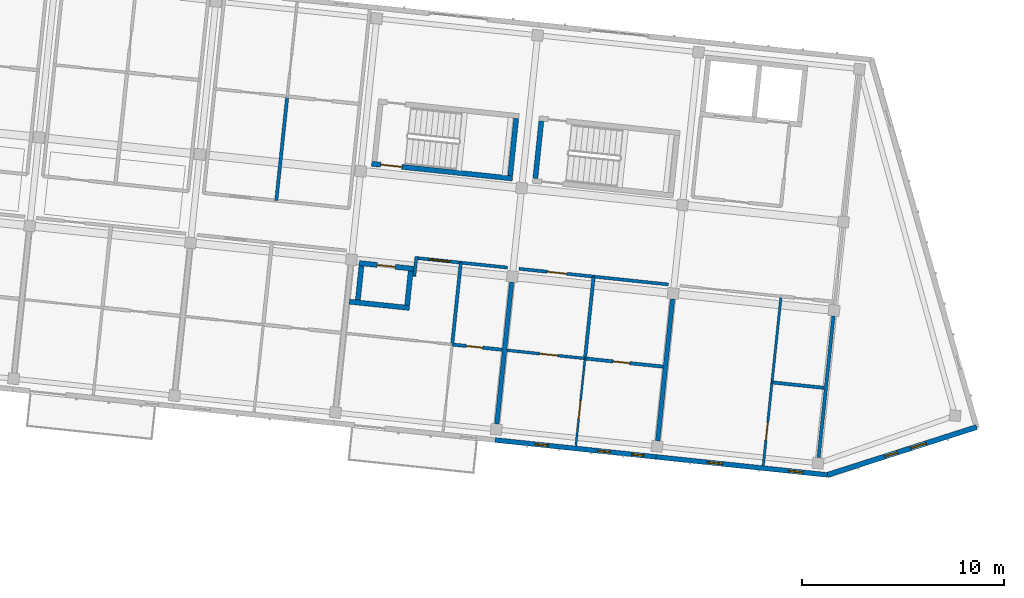
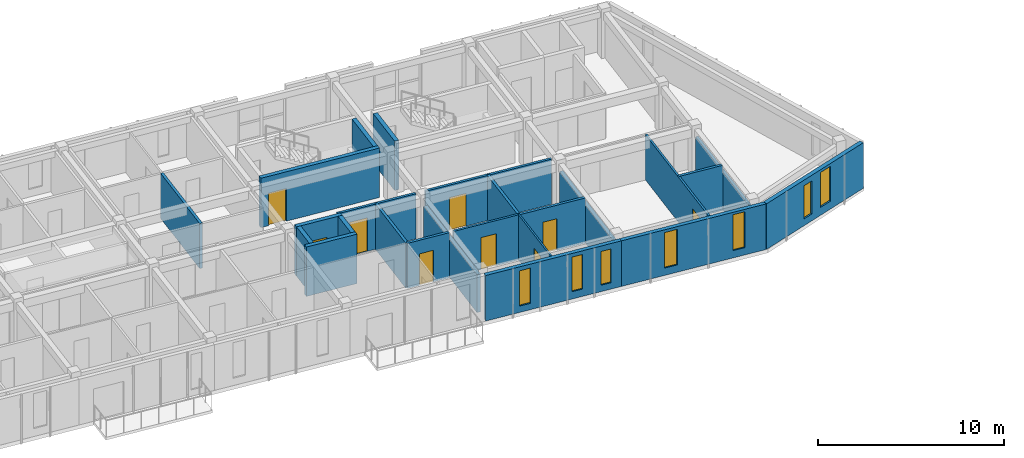
# One storey, part 38 of 68: 25 walls, 9 doors, 7 windows, 16 openings.
"""IFC4 building model written with IfcOpenShell, lengths in metres."""

import ifcopenshell
import ifcopenshell.guid

model = None  # the IFC model being written
_history = None  # IfcOwnerHistory: only IFC2X3 demands one
_inside = {}  # id of a spatial element -> (the spatial element, [elements in it])
_under = {}  # id of a project, library or spatial element -> (it, [spatial elements below it])
_declared = {}  # id of a project -> (the project, [libraries it declares])
_typed = {}  # id of a type object -> (the type object, [elements of that type])
_made_of = {}  # id of a material, layer set ... -> (it, [elements and type objects made of it])


def new_model(schema):
    """Start an empty IFC model of exactly this schema.

    Asked for "IFC4X3", IfcOpenShell would pick the latest addendum, in which some entities
    have other attributes; the version numbers below select the first issue.
    IFC2X3 requires an IfcOwnerHistory on every rooted entity: one is made here for all.
    """
    global model, _history
    if schema == "IFC4X3":
        model = ifcopenshell.file(schema_version=(4, 3, 0, 0))
    else:
        model = ifcopenshell.file(schema=schema)
    _inside.clear()
    _under.clear()
    _declared.clear()
    _typed.clear()
    _made_of.clear()
    _history = None
    if model.schema == "IFC2X3":
        org = make("IfcOrganization", Name="unknown")
        user = make(
            "IfcPersonAndOrganization",
            ThePerson=make("IfcPerson", FamilyName="unknown"),
            TheOrganization=org,
        )
        app = make(
            "IfcApplication",
            ApplicationDeveloper=org,
            Version="unknown",
            ApplicationFullName="unknown",
            ApplicationIdentifier="unknown",
        )
        _history = make(
            "IfcOwnerHistory",
            OwningUser=user,
            OwningApplication=app,
            ChangeAction="ADDED",
            CreationDate=0,
        )
    return model


def make(cls, **values):
    """One entity of the class cls with the attributes given. An attribute that is None is left unset."""
    return model.create_entity(
        cls, **{name: value for name, value in values.items() if value is not None}
    )


def rooted(cls, **values):
    """An entity with a GlobalId (a new one), such as an element, a storey or a relation."""
    return make(cls, GlobalId=ifcopenshell.guid.new(), OwnerHistory=_history, **values)


def si_unit(unit_type, name, prefix=None):
    """IfcSIUnit, for example si_unit("LENGTHUNIT", "METRE", prefix="MILLI")."""
    return make("IfcSIUnit", UnitType=unit_type, Prefix=prefix, Name=name)


def assignment(units):
    """IfcUnitAssignment: the units of a project."""
    return None if units is None else make("IfcUnitAssignment", Units=units)


def point(xyz):
    """IfcCartesianPoint."""
    return None if xyz is None else make("IfcCartesianPoint", Coordinates=xyz)


def direction(xyz):
    """IfcDirection."""
    return None if xyz is None else make("IfcDirection", DirectionRatios=xyz)


def frame(location, z_axis=None, x_axis=None):
    """IfcAxis2Placement3D, a coordinate frame: its origin and axes. An axis left out is left unset."""
    return make(
        "IfcAxis2Placement3D",
        Location=point(location),
        Axis=direction(z_axis),
        RefDirection=direction(x_axis),
    )


def frame_2d(location, x_axis=None):
    """IfcAxis2Placement2D, a coordinate frame in the plane: its origin and x axis."""
    return make(
        "IfcAxis2Placement2D", Location=point(location), RefDirection=direction(x_axis)
    )


def origin():
    """The frame at (0, 0, 0) with its axes left unset."""
    return frame((0.0, 0.0, 0.0))


def place(relative_to, where):
    """IfcLocalPlacement: puts the frame where relative to a parent placement (None: the world)."""
    return make(
        "IfcLocalPlacement", PlacementRelTo=relative_to, RelativePlacement=where
    )


def context(
    kind, dimensions, precision=None, world=None, true_north=None, identifier=None
):
    """IfcGeometricRepresentationContext, for example the 3D "Model" context."""
    return make(
        "IfcGeometricRepresentationContext",
        ContextIdentifier=identifier,
        ContextType=kind,
        CoordinateSpaceDimension=dimensions,
        Precision=precision,
        WorldCoordinateSystem=world,
        TrueNorth=true_north,
    )


def subcontext(parent, identifier, kind, view, scale=None):
    """IfcGeometricRepresentationSubContext, for example "Body" below "Model"."""
    return make(
        "IfcGeometricRepresentationSubContext",
        ContextIdentifier=identifier,
        ContextType=kind,
        ParentContext=parent,
        TargetScale=scale,
        TargetView=view,
    )


def project(units=None, contexts=None):
    """IfcProject with its units and contexts."""
    return rooted(
        "IfcProject",
        Name="project",
        RepresentationContexts=contexts,
        UnitsInContext=assignment(units),
    )


def spatial(cls, under=None, at=None, **own):
    """A site, building, storey or space (cls), placed at a placement, below another one or the project."""
    s = rooted(cls, ObjectPlacement=at, **own)
    if under is not None:
        _under.setdefault(under.id(), (under, []))[1].append(s)
    return s


def profile(cls, at=None, kind="AREA", **sizes):
    """A parametric profile (cls). Its sizes go by their IFC names, for example OverallWidth=200.0."""
    return make(cls, ProfileType=kind, Position=at, **sizes)


def rectangle(**sizes):
    """IfcRectangleProfileDef."""
    return profile("IfcRectangleProfileDef", **sizes)


def extrude(swept, where, along, depth):
    """IfcExtrudedAreaSolid: the profile swept, set in the frame where, extruded along a direction by depth."""
    return make(
        "IfcExtrudedAreaSolid",
        SweptArea=swept,
        Position=where,
        ExtrudedDirection=direction(along),
        Depth=depth,
    )


def shape(context_of_items, identifier, shape_type, items):
    """IfcShapeRepresentation: the items that make up one representation, for example the "Body"."""
    return make(
        "IfcShapeRepresentation",
        ContextOfItems=context_of_items,
        RepresentationIdentifier=identifier,
        RepresentationType=shape_type,
        Items=items,
    )


def material(Name=None, Category=None):
    """IfcMaterial."""
    return make("IfcMaterial", Name=Name, Category=Category)


def layer(
    of_material, thickness, ventilated=None, Name=None, Category=None, Priority=None
):
    """IfcMaterialLayer: one layer of a wall or slab, of a material (None: an air gap)."""
    return make(
        "IfcMaterialLayer",
        Material=of_material,
        LayerThickness=thickness,
        IsVentilated=ventilated,
        Name=Name,
        Category=Category,
        Priority=Priority,
    )


def layer_set(layers, Name=None):
    """IfcMaterialLayerSet."""
    return make("IfcMaterialLayerSet", MaterialLayers=layers, LayerSetName=Name)


def made_of(thing, what):
    """Note that an element or type object is made of a material, layer set ...; save() writes the relation."""
    if what is not None:
        _made_of.setdefault(what.id(), (what, []))[1].append(thing)
    return thing


def type_object(cls, material=None, **own):
    """A type object (cls), such as IfcWallType, which elements share."""
    return made_of(rooted(cls, **own), material)


def element(
    cls,
    number,
    at=None,
    inside=None,
    cuts=None,
    type_object=None,
    material=None,
    context=None,
    identifier="Body",
    shape_type=None,
    held_by="IfcProductDefinitionShape",
    body=None,
    shapes=None,
    **own,
):
    """One element of the class cls, such as IfcWall. Its Tag is "e" and its number.

    at: its placement. inside: the storey or other place that contains it. cuts: it is an
    opening in that element (IfcRelVoidsElement). A single representation is given by context,
    identifier, shape_type and body (its items); several are given by shapes. held_by: the class
    of the entity that holds the representations. save() writes the other relations.
    """
    e = rooted(cls, Tag="e%d" % number, ObjectPlacement=at, **own)
    if body is not None:
        shapes = [shape(context, identifier, shape_type, body)]
    if shapes is not None:
        e.Representation = make(held_by, Representations=shapes)
    if inside is not None:
        _inside.setdefault(inside.id(), (inside, []))[1].append(e)
    if cuts is not None:
        rooted(
            "IfcRelVoidsElement", RelatingBuildingElement=cuts, RelatedOpeningElement=e
        )
    if type_object is not None:
        _typed.setdefault(type_object.id(), (type_object, []))[1].append(e)
    return made_of(e, material)


def fill(opening, filler):
    """IfcRelFillsElement: the door or window that sits in an opening."""
    return rooted(
        "IfcRelFillsElement",
        RelatingOpeningElement=opening,
        RelatedBuildingElement=filler,
    )


def aggregate(whole, parts):
    """IfcRelAggregates: a whole, such as a stair, and the parts it consists of."""
    return rooted("IfcRelAggregates", RelatingObject=whole, RelatedObjects=parts)


def save(model, path):
    """Write the relations noted so far, then the file.

    IfcRelAggregates (storeys below a building ...), IfcRelContainedInSpatialStructure (elements
    in a storey), IfcRelDefinesByType, IfcRelAssociatesMaterial and IfcRelDeclares: one each for
    every whole, place, type object, material and project.
    """
    for whole, parts in _under.values():
        aggregate(whole, parts)
    for where, things in _inside.values():
        rooted(
            "IfcRelContainedInSpatialStructure",
            RelatedElements=things,
            RelatingStructure=where,
        )
    for kind, things in _typed.values():
        rooted("IfcRelDefinesByType", RelatedObjects=things, RelatingType=kind)
    for what, things in _made_of.values():
        rooted("IfcRelAssociatesMaterial", RelatedObjects=things, RelatingMaterial=what)
    for by, libraries in _declared.values():
        rooted("IfcRelDeclares", RelatingContext=by, RelatedDefinitions=libraries)
    model.write(path)


model = new_model("IFC4")

# Units and contexts
model_context = context("Model", 3, precision=1e-05, world=origin(), true_north=direction((0.0, 1.0)))
body_context = subcontext(model_context, "Body", "Model", "MODEL_VIEW")
ifc_project = project(units=[si_unit("LENGTHUNIT", "METRE"), si_unit("AREAUNIT", "SQUARE_METRE"), si_unit("VOLUMEUNIT", "CUBIC_METRE"), si_unit("PLANEANGLEUNIT", "RADIAN"), si_unit("MASSUNIT", "GRAM", prefix="KILO")], contexts=[model_context])

# Site, building, storey
site_placement = place(None, origin())
site = spatial("IfcSite", under=ifc_project, at=site_placement, CompositionType="ELEMENT")
building_placement = place(site_placement, origin())
building = spatial("IfcBuilding", under=site, at=building_placement, Name="Kestramere Prow Commons", CompositionType="ELEMENT")
storey_placement = place(building_placement, frame((0.0, 0.0, 18.14990234375)))
storey = spatial("IfcBuildingStorey", under=building, at=storey_placement, Name="L05", CompositionType="ELEMENT", Elevation=18.14990234375)

# Wall, openings, windows
ifc_material_1 = material(Name="Weathered Zinc-Titanium Standing-Seam Cladding")
ifc_layer_1 = layer(ifc_material_1, 0.260009765625)
ifc_layer_set_1 = layer_set([ifc_layer_1], Name="Weathered Zinc-Titanium Standing-Seam Cladding")
wall_type_1 = type_object("IfcWallType", Name="EW-PROW-260", PredefinedType="SOLIDWALL", material=ifc_layer_set_1)
wall_1_placement = place(storey_placement, frame((165.587158203125, 91.57177734375, 0.0), z_axis=(0.0, 0.0, 1.0), x_axis=(-0.9522851043, -0.305209895201, 0.0)))
wall_1 = element("IfcWall", 1, at=wall_1_placement, inside=storey, type_object=wall_type_1, Name="Block B L05 PRW-S Facet Wall", PredefinedType="SOLIDWALL", context=body_context, shape_type="SweptSolid", body=[
    extrude(rectangle(XDim=7.752685546875, YDim=0.260009765625, at=frame_2d((3.87646484375, 0.0))), origin(), (0.0, 0.0, 1.0), 3.0),
])
opening_1_placement = place(wall_1_placement, frame((2.6298828125, 0.0, 0.52001953125)))
opening_1 = element("IfcOpeningElement", 2, at=opening_1_placement, cuts=wall_1, Name="Opening WN-12", PredefinedType="OPENING", context=body_context, shape_type="SweptSolid", body=[
    extrude(rectangle(XDim=0.800048828125, YDim=2.300048828125, at=frame_2d((0.39990234375, 1.14990234375))), frame((0.0, 0.14501953125, 0.0), z_axis=(0.0, -1.0, 0.0), x_axis=(1.0, 0.0, 0.0)), (0.0, 0.0, 1.0), 0.2900390625),
])
opening_2_placement = place(wall_1_placement, frame((4.122802734375, 0.0, 0.449951171875)))
opening_2 = element("IfcOpeningElement", 3, at=opening_2_placement, cuts=wall_1, Name="Opening WN-04", PredefinedType="OPENING", context=body_context, shape_type="SweptSolid", body=[
    extrude(rectangle(XDim=0.639892578125, YDim=2.179931640625, at=frame_2d((0.31982421875, 1.08984375))), frame((0.0, 0.14501953125, 0.0), z_axis=(0.0, -1.0, 0.0), x_axis=(1.0, 0.0, 0.0)), (0.0, 0.0, 1.0), 0.2900390625),
])
ifc_material_2 = material(Name="Low-E Laminated Double Glazing", Category="glass")
window_type_1 = type_object("IfcWindowType", Name="WN-NAR-640A", PartitioningType="SINGLE_PANEL", PredefinedType="WINDOW", material=ifc_material_2)
window_1_placement = place(opening_2_placement, origin())
window_1 = element("IfcWindow", 4, at=window_1_placement, inside=storey, type_object=window_type_1, Name="WN-B-L05-PRW-S-1", OverallHeight=2.179931640625, OverallWidth=0.639892578125, PartitioningType="SINGLE_PANEL", PredefinedType="WINDOW", context=body_context, shape_type="SweptSolid", body=[
    extrude(rectangle(XDim=0.639892578125, YDim=2.179931640625, at=frame_2d((0.31982421875, 1.08984375))), frame((0.0, 0.030029296875, 0.0), z_axis=(0.0, -1.0, 0.0), x_axis=(1.0, 0.0, 0.0)), (0.0, 0.0, 1.0), 0.06005859375),
])
fill(opening_2, window_1)
window_type_2 = type_object("IfcWindowType", Name="WN-NAR-800A", PartitioningType="SINGLE_PANEL", PredefinedType="WINDOW", material=ifc_material_2)
window_2_placement = place(opening_1_placement, origin())
window_2 = element("IfcWindow", 5, at=window_2_placement, inside=storey, type_object=window_type_2, Name="WN-B-L05-PRW-S-0", OverallHeight=2.300048828125, OverallWidth=0.800048828125, PartitioningType="SINGLE_PANEL", PredefinedType="WINDOW", context=body_context, shape_type="SweptSolid", body=[
    extrude(rectangle(XDim=0.800048828125, YDim=2.300048828125, at=frame_2d((0.39990234375, 1.14990234375))), frame((0.0, 0.030029296875, 0.0), z_axis=(0.0, -1.0, 0.0), x_axis=(1.0, 0.0, 0.0)), (0.0, 0.0, 1.0), 0.06005859375),
])
fill(opening_1, window_2)

ifc_material_3 = material(Name="Fluoropolymer Standing-Seam Zinc-Aluminium Cladding", Category="aluminium")
ifc_layer_2 = layer(ifc_material_3, 0.239990234375)
ifc_layer_set_2 = layer_set([ifc_layer_2], Name="Fluoropolymer Standing-Seam Zinc-Aluminium Cladding")
wall_type_2 = type_object("IfcWallType", Name="EW-SEAM-240", PredefinedType="SOLIDWALL", material=ifc_layer_set_2)
wall_2_placement = place(storey_placement, frame((149.72607421875, 90.0966796875, 0.0), z_axis=(0.0, 0.0, 1.0), x_axis=(-0.994522662826, 0.104521161134, 0.0)))
wall_2 = element("IfcWall", 6, at=wall_2_placement, inside=storey, type_object=wall_type_2, Name="Block B L05 South Standing-Seam Wall 5", PredefinedType="SOLIDWALL", context=body_context, shape_type="SweptSolid", body=[
    extrude(rectangle(XDim=8.0, YDim=0.239990234375, at=frame_2d((4.0, 0.0))), origin(), (0.0, 0.0, 1.0), 3.0),
])
opening_3_placement = place(wall_2_placement, frame((0.610107421875, 0.0, 0.419921875)))
opening_3 = element("IfcOpeningElement", 7, at=opening_3_placement, cuts=wall_2, Name="Opening WN-02", PredefinedType="OPENING", context=body_context, shape_type="SweptSolid", body=[
    extrude(rectangle(XDim=0.60009765625, YDim=2.219970703125, at=frame_2d((0.300048828125, 1.10986328125))), frame((0.0, 0.135009765625, 0.0), z_axis=(0.0, -1.0, 0.0), x_axis=(1.0, 0.0, 0.0)), (0.0, 0.0, 1.0), 0.27001953125),
])
opening_4_placement = place(wall_2_placement, frame((2.280029296875, 0.0, 0.47998046875)))
opening_4 = element("IfcOpeningElement", 8, at=opening_4_placement, cuts=wall_2, Name="Opening WN-03", PredefinedType="OPENING", context=body_context, shape_type="SweptSolid", body=[
    extrude(rectangle(XDim=0.6201171875, YDim=2.280029296875, at=frame_2d((0.31005859375, 1.14013671875))), frame((0.0, 0.135009765625, 0.0), z_axis=(0.0, -1.0, 0.0), x_axis=(1.0, 0.0, 0.0)), (0.0, 0.0, 1.0), 0.27001953125),
])
opening_5_placement = place(wall_2_placement, frame((5.35498046875, 0.0, 0.419921875)))
opening_5 = element("IfcOpeningElement", 9, at=opening_5_placement, cuts=wall_2, Name="Opening WN-05", PredefinedType="OPENING", context=body_context, shape_type="SweptSolid", body=[
    extrude(rectangle(XDim=0.659912109375, YDim=2.320068359375, at=frame_2d((0.330078125, 1.16015625))), frame((0.0, 0.135009765625, 0.0), z_axis=(0.0, -1.0, 0.0), x_axis=(1.0, 0.0, 0.0)), (0.0, 0.0, 1.0), 0.27001953125),
])
window_type_3 = type_object("IfcWindowType", Name="WN-NAR-600A", PartitioningType="SINGLE_PANEL", PredefinedType="WINDOW", material=ifc_material_2)
window_3_placement = place(opening_3_placement, origin())
window_3 = element("IfcWindow", 10, at=window_3_placement, inside=storey, type_object=window_type_3, Name="WN-B-L05-S-4-00", OverallHeight=2.219970703125, OverallWidth=0.60009765625, PartitioningType="SINGLE_PANEL", PredefinedType="WINDOW", context=body_context, shape_type="SweptSolid", body=[
    extrude(rectangle(XDim=0.60009765625, YDim=2.219970703125, at=frame_2d((0.300048828125, 1.10986328125))), frame((0.0, 0.030029296875, 0.0), z_axis=(0.0, -1.0, 0.0), x_axis=(1.0, 0.0, 0.0)), (0.0, 0.0, 1.0), 0.06005859375),
])
fill(opening_3, window_3)
window_type_4 = type_object("IfcWindowType", Name="WN-NAR-620A", PartitioningType="SINGLE_PANEL", PredefinedType="WINDOW", material=ifc_material_2)
window_4_placement = place(opening_4_placement, origin())
window_4 = element("IfcWindow", 11, at=window_4_placement, inside=storey, type_object=window_type_4, Name="WN-B-L05-S-4-01", OverallHeight=2.280029296875, OverallWidth=0.6201171875, PartitioningType="SINGLE_PANEL", PredefinedType="WINDOW", context=body_context, shape_type="SweptSolid", body=[
    extrude(rectangle(XDim=0.6201171875, YDim=2.280029296875, at=frame_2d((0.31005859375, 1.14013671875))), frame((0.0, 0.030029296875, 0.0), z_axis=(0.0, -1.0, 0.0), x_axis=(1.0, 0.0, 0.0)), (0.0, 0.0, 1.0), 0.06005859375),
])
fill(opening_4, window_4)
window_type_5 = type_object("IfcWindowType", Name="WN-NAR-660A", PartitioningType="SINGLE_PANEL", PredefinedType="WINDOW", material=ifc_material_2)
window_5_placement = place(opening_5_placement, origin())
window_5 = element("IfcWindow", 12, at=window_5_placement, inside=storey, type_object=window_type_5, Name="WN-B-L05-S-4-10", OverallHeight=2.320068359375, OverallWidth=0.659912109375, PartitioningType="SINGLE_PANEL", PredefinedType="WINDOW", context=body_context, shape_type="SweptSolid", body=[
    extrude(rectangle(XDim=0.659912109375, YDim=2.320068359375, at=frame_2d((0.330078125, 1.16015625))), frame((0.0, 0.030029296875, 0.0), z_axis=(0.0, -1.0, 0.0), x_axis=(1.0, 0.0, 0.0)), (0.0, 0.0, 1.0), 0.06005859375),
])
fill(opening_5, window_5)

wall_3_placement = place(storey_placement, frame((158.204345703125, 89.20556640625, 0.0), z_axis=(0.0, 0.0, 1.0), x_axis=(-0.994521760736, 0.104529744196, 0.0)))
wall_3 = element("IfcWall", 13, at=wall_3_placement, inside=storey, type_object=wall_type_2, Name="Block B L05 South Standing-Seam Wall 6", PredefinedType="SOLIDWALL", context=body_context, shape_type="SweptSolid", body=[
    extrude(rectangle(XDim=8.52490234375, YDim=0.239990234375, at=frame_2d((4.262451171875, 0.0))), origin(), (0.0, 0.0, 1.0), 3.0),
])
opening_6_placement = place(wall_3_placement, frame((1.237060546875, 0.0, 0.47998046875)))
opening_6 = element("IfcOpeningElement", 14, at=opening_6_placement, cuts=wall_3, Name="Opening WN-07", PredefinedType="OPENING", context=body_context, shape_type="SweptSolid", body=[
    extrude(rectangle(XDim=0.699951171875, YDim=2.360107421875, at=frame_2d((0.35009765625, 1.18017578125))), frame((0.0, 0.135009765625, 0.0), z_axis=(0.0, -1.0, 0.0), x_axis=(1.0, 0.0, 0.0)), (0.0, 0.0, 1.0), 0.27001953125),
])
opening_7_placement = place(wall_3_placement, frame((5.2197265625, 0.0, 0.47998046875)))
opening_7 = element("IfcOpeningElement", 15, at=opening_7_placement, cuts=wall_3, Name="Opening WN-10", PredefinedType="OPENING", context=body_context, shape_type="SweptSolid", body=[
    extrude(rectangle(XDim=0.760009765625, YDim=2.340087890625, at=frame_2d((0.3798828125, 1.169921875))), frame((0.0, 0.135009765625, 0.0), z_axis=(0.0, -1.0, 0.0), x_axis=(1.0, 0.0, 0.0)), (0.0, 0.0, 1.0), 0.27001953125),
])
window_type_6 = type_object("IfcWindowType", Name="WN-NAR-700A", PartitioningType="SINGLE_PANEL", PredefinedType="WINDOW", material=ifc_material_2)
window_6_placement = place(opening_6_placement, origin())
window_6 = element("IfcWindow", 16, at=window_6_placement, inside=storey, type_object=window_type_6, Name="WN-B-L05-S-5-00", OverallHeight=2.360107421875, OverallWidth=0.699951171875, PartitioningType="SINGLE_PANEL", PredefinedType="WINDOW", context=body_context, shape_type="SweptSolid", body=[
    extrude(rectangle(XDim=0.699951171875, YDim=2.360107421875, at=frame_2d((0.35009765625, 1.18017578125))), frame((0.0, 0.030029296875, 0.0), z_axis=(0.0, -1.0, 0.0), x_axis=(1.0, 0.0, 0.0)), (0.0, 0.0, 1.0), 0.06005859375),
])
fill(opening_6, window_6)
window_type_7 = type_object("IfcWindowType", Name="WN-NAR-760A", PartitioningType="SINGLE_PANEL", PredefinedType="WINDOW", material=ifc_material_2)
window_7_placement = place(opening_7_placement, origin())
window_7 = element("IfcWindow", 17, at=window_7_placement, inside=storey, type_object=window_type_7, Name="WN-B-L05-S-5-10", OverallHeight=2.340087890625, OverallWidth=0.760009765625, PartitioningType="SINGLE_PANEL", PredefinedType="WINDOW", context=body_context, shape_type="SweptSolid", body=[
    extrude(rectangle(XDim=0.760009765625, YDim=2.340087890625, at=frame_2d((0.3798828125, 1.169921875))), frame((0.0, 0.030029296875, 0.0), z_axis=(0.0, -1.0, 0.0), x_axis=(1.0, 0.0, 0.0)), (0.0, 0.0, 1.0), 0.06005859375),
])
fill(opening_7, window_7)

# Wall, opening, door
ifc_material_4 = material(Name="Concrete C40/50", Category="concrete")
ifc_layer_3 = layer(ifc_material_4, 0.25)
ifc_layer_set_3 = layer_set([ifc_layer_3], Name="Concrete C40/50")
wall_type_3 = type_object("IfcWallType", Name="W-CORE-250", PredefinedType="SHEAR", material=ifc_layer_set_3)
wall_4_placement = place(storey_placement, frame((135.66455078125, 104.595947265625, 0.0), z_axis=(0.0, 0.0, 1.0), x_axis=(0.994522066748, -0.104526832686, 0.0)))
wall_4 = element("IfcWall", 18, at=wall_4_placement, inside=storey, type_object=wall_type_3, Name="ST-B1 L05 Corridor Shaft Wall", PredefinedType="SHEAR", context=body_context, shape_type="SweptSolid", body=[
    extrude(rectangle(XDim=7.0, YDim=0.25, at=frame_2d((3.5, 0.0))), origin(), (0.0, 0.0, 1.0), 3.25),
])
opening_8_placement = place(wall_4_placement, frame((0.449951171875, 0.0, 0.0)))
opening_8 = element("IfcOpeningElement", 19, at=opening_8_placement, cuts=wall_4, Name="Opening ID-01", PredefinedType="OPENING", context=body_context, shape_type="SweptSolid", body=[
    extrude(rectangle(XDim=1.050048828125, YDim=2.14990234375, at=frame_2d((0.52490234375, 1.074951171875))), frame((0.0, 0.139892578125, 0.0), z_axis=(0.0, -1.0, 0.0), x_axis=(1.0, 0.0, 0.0)), (0.0, 0.0, 1.0), 0.280029296875),
])
ifc_material_5 = material(Name="Fire-Rated Timber and Steel Frame", Category="steel")
door_type_1 = type_object("IfcDoorType", Name="FD-ST-01", OperationType="NOTDEFINED", PredefinedType="DOOR", material=ifc_material_5)
door_1_placement = place(opening_8_placement, origin())
door_1 = element("IfcDoor", 20, at=door_1_placement, inside=storey, type_object=door_type_1, Name="ST-B1 L05 Protected Stair Door", OperationType="SINGLE_SWING_RIGHT", OverallHeight=2.14990234375, OverallWidth=1.050048828125, PredefinedType="DOOR", context=body_context, shape_type="SweptSolid", body=[
    extrude(rectangle(XDim=1.050048828125, YDim=2.14990234375, at=frame_2d((0.52490234375, 1.074951171875))), frame((0.0, 0.02490234375, 0.0), z_axis=(0.0, -1.0, 0.0), x_axis=(1.0, 0.0, 0.0)), (0.0, 0.0, 1.0), 0.050048828125),
])
fill(opening_8, door_1)

# Walls
for number, where, z_axis, x_axis, name in (
    (21, (142.514892578125, 104.001708984375, 0.0), (0.0, 0.0, 1.0), (0.104515324063, 0.994523276267, 0.0), "ST-B1 L05 Far Shaft Wall"),
    (22, (143.758056640625, 103.87109375, 0.0), (0.0, 0.0, 1.0), (0.104515324063, 0.994523276267, 0.0), "ST-B2 L05 Near Shaft Wall"),
):
    element("IfcWall", number, at=place(storey_placement, frame(where, z_axis=z_axis, x_axis=x_axis)), inside=storey, type_object=wall_type_3, Name=name, PredefinedType="SHEAR", context=body_context, shape_type="SweptSolid", body=[
        extrude(rectangle(XDim=2.849853515625, YDim=0.25, at=frame_2d((1.4248046875, 0.0))), origin(), (0.0, 0.0, 1.0), 3.25),
    ])
ifc_material_6 = material(Name="Fire-Rated Calcium Silicate Wall")
ifc_layer_4 = layer(ifc_material_6, 0.155029296875)
ifc_layer_set_4 = layer_set([ifc_layer_4], Name="Fire-Rated Calcium Silicate Wall")
wall_type_4 = type_object("IfcWallType", Name="W-FIRE-150", PredefinedType="PARTITIONING", material=ifc_layer_set_4)
wall_5_placement = place(storey_placement, frame((137.773193359375, 99.02001953125, 0.0), z_axis=(0.0, 0.0, 1.0), x_axis=(0.104531505358, 0.994521575627, 0.0)))
element("IfcWall", 23, at=wall_5_placement, inside=storey, type_object=wall_type_4, Name="Interior Partition PW-B-L05-HS-CLOSER", PredefinedType="PARTITIONING", context=body_context, shape_type="SweptSolid", body=[
    extrude(rectangle(XDim=0.994873046875, YDim=0.155029296875, at=frame_2d((0.49755859375, 0.0))), origin(), (0.0, 0.0, 1.0), 2.97021484375),
])

# Wall, opening, door
wall_6_placement = place(storey_placement, frame((137.948974609375, 99.926513671875, 0.0), z_axis=(0.0, 0.0, 1.0), x_axis=(0.994524354209, -0.104505066315, 0.0)))
wall_6 = element("IfcWall", 24, at=wall_6_placement, inside=storey, type_object=wall_type_4, Name="Interior Partition PW-B-L05-CS-3", PredefinedType="PARTITIONING", context=body_context, shape_type="SweptSolid", body=[
    extrude(rectangle(XDim=4.455078125, YDim=0.155029296875, at=frame_2d((2.2275390625, 0.0))), origin(), (0.0, 0.0, 1.0), 2.97021484375),
])
opening_9_placement = place(wall_6_placement, frame((0.556884765625, 0.0, 0.0)))
opening_9 = element("IfcOpeningElement", 25, at=opening_9_placement, cuts=wall_6, Name="Opening ID-05", PredefinedType="OPENING", context=body_context, shape_type="SweptSolid", body=[
    extrude(rectangle(XDim=1.02001953125, YDim=2.199951171875, at=frame_2d((0.510009765625, 1.10009765625))), frame((0.0, 0.092529296875, 0.0), z_axis=(0.0, -1.0, 0.0), x_axis=(1.0, 0.0, 0.0)), (0.0, 0.0, 1.0), 0.18505859375),
])
ifc_material_7 = material(Name="Hardwood Fire-Rated Flat Entrance Door", Category="wood")
door_type_2 = type_object("IfcDoorType", Name="FD-ENT-02", OperationType="NOTDEFINED", PredefinedType="DOOR", material=ifc_material_7)
door_2_placement = place(opening_9_placement, origin())
door_2 = element("IfcDoor", 26, at=door_2_placement, inside=storey, type_object=door_type_2, Name="Interior Door DR-B-L05-ENT-S3", OperationType="SINGLE_SWING_LEFT", OverallHeight=2.199951171875, OverallWidth=1.02001953125, PredefinedType="DOOR", context=body_context, shape_type="SweptSolid", body=[
    extrude(rectangle(XDim=1.02001953125, YDim=2.199951171875, at=frame_2d((0.510009765625, 1.10009765625))), frame((0.0, 0.02490234375, 0.0), z_axis=(0.0, -1.0, 0.0), x_axis=(1.0, 0.0, 0.0)), (0.0, 0.0, 1.0), 0.050048828125),
])
fill(opening_9, door_2)

wall_7_placement = place(storey_placement, frame((142.946533203125, 99.4013671875, 0.0), z_axis=(0.0, 0.0, 1.0), x_axis=(0.994522184982, -0.104525707739, 0.0)))
wall_7 = element("IfcWall", 27, at=wall_7_placement, inside=storey, type_object=wall_type_4, Name="Interior Partition PW-B-L05-CS-4", PredefinedType="PARTITIONING", context=body_context, shape_type="SweptSolid", body=[
    extrude(rectangle(XDim=7.429931640625, YDim=0.155029296875, at=frame_2d((3.71484375, 0.0))), origin(), (0.0, 0.0, 1.0), 2.97021484375),
])
opening_10_placement = place(wall_7_placement, frame((1.405029296875, 0.0, 0.0)))
opening_10 = element("IfcOpeningElement", 28, at=opening_10_placement, cuts=wall_7, Name="Opening ID-04", PredefinedType="OPENING", context=body_context, shape_type="SweptSolid", body=[
    extrude(rectangle(XDim=0.97998046875, YDim=2.14990234375, at=frame_2d((0.489990234375, 1.074951171875))), frame((0.0, 0.092529296875, 0.0), z_axis=(0.0, -1.0, 0.0), x_axis=(1.0, 0.0, 0.0)), (0.0, 0.0, 1.0), 0.18505859375),
])
door_type_3 = type_object("IfcDoorType", Name="FD-ENT-01", OperationType="NOTDEFINED", PredefinedType="DOOR", material=ifc_material_7)
door_3_placement = place(opening_10_placement, origin())
door_3 = element("IfcDoor", 29, at=door_3_placement, inside=storey, type_object=door_type_3, Name="Interior Door DR-B-L05-ENT-S4", OperationType="SINGLE_SWING_RIGHT", OverallHeight=2.14990234375, OverallWidth=0.97998046875, PredefinedType="DOOR", context=body_context, shape_type="SweptSolid", body=[
    extrude(rectangle(XDim=0.97998046875, YDim=2.14990234375, at=frame_2d((0.489990234375, 1.074951171875))), frame((0.0, 0.02490234375, 0.0), z_axis=(0.0, -1.0, 0.0), x_axis=(1.0, 0.0, 0.0)), (0.0, 0.0, 1.0), 0.050048828125),
])
fill(opening_10, door_3)

# Wall
ifc_layer_5 = layer(ifc_material_4, 0.25)
ifc_layer_set_5 = layer_set([ifc_layer_5], Name="Concrete C40/50")
wall_type_5 = type_object("IfcWallType", Name="W-HS-250", PredefinedType="SHEAR", material=ifc_layer_set_5)
wall_8_placement = place(storey_placement, frame((134.555419921875, 97.774658203125, 0.0), z_axis=(0.0, 0.0, 1.0), x_axis=(0.994514844427, -0.104595526741, 0.0)))
element("IfcWall", 30, at=wall_8_placement, inside=storey, type_object=wall_type_5, Name="Block B L05 Household Shelter South Wall", PredefinedType="SHEAR", context=body_context, shape_type="SweptSolid", body=[
    extrude(rectangle(XDim=2.989990234375, YDim=0.25, at=frame_2d((1.4951171875, 0.0))), origin(), (0.0, 0.0, 1.0), 3.25),
])

# Wall, opening, door
wall_9_placement = place(storey_placement, frame((135.047607421875, 99.68359375, 0.0), z_axis=(0.0, 0.0, 1.0), x_axis=(0.994522285292, -0.104524753323, 0.0)))
wall_9 = element("IfcWall", 31, at=wall_9_placement, inside=storey, type_object=wall_type_5, Name="Block B L05 Household Shelter North Wall", PredefinedType="SHEAR", context=body_context, shape_type="SweptSolid", body=[
    extrude(rectangle(XDim=2.7001953125, YDim=0.25, at=frame_2d((1.35009765625, 0.0))), origin(), (0.0, 0.0, 1.0), 3.25),
])
opening_11_placement = place(wall_9_placement, frame((0.89990234375, 0.0, 0.0)))
opening_11 = element("IfcOpeningElement", 32, at=opening_11_placement, cuts=wall_9, Name="Opening ID-06", PredefinedType="OPENING", context=body_context, shape_type="SweptSolid", body=[
    extrude(rectangle(XDim=0.89990234375, YDim=2.050048828125, at=frame_2d((0.449951171875, 1.02490234375))), frame((0.0, 0.139892578125, 0.0), z_axis=(0.0, -1.0, 0.0), x_axis=(1.0, 0.0, 0.0)), (0.0, 0.0, 1.0), 0.280029296875),
])
ifc_material_8 = material(Name="Galvanised Steel S275JR Household Shelter Door", Category="steel")
door_type_4 = type_object("IfcDoorType", Name="FD-HS-01", OperationType="NOTDEFINED", PredefinedType="DOOR", material=ifc_material_8)
door_4_placement = place(opening_11_placement, origin())
door_4 = element("IfcDoor", 33, at=door_4_placement, inside=storey, type_object=door_type_4, Name="Block B L05 Household Shelter Blast Door", OperationType="SINGLE_SWING_LEFT", OverallHeight=2.050048828125, OverallWidth=0.89990234375, PredefinedType="DOOR", context=body_context, shape_type="SweptSolid", body=[
    extrude(rectangle(XDim=0.89990234375, YDim=2.050048828125, at=frame_2d((0.449951171875, 1.02490234375))), frame((0.0, 0.02490234375, 0.0), z_axis=(0.0, -1.0, 0.0), x_axis=(1.0, 0.0, 0.0)), (0.0, 0.0, 1.0), 0.050048828125),
])
fill(opening_11, door_4)

# Walls
for number, where, z_axis, x_axis, name in (
    (34, (134.981201171875, 97.85546875, 0.0), (0.0, 0.0, 1.0), (0.104550220202, 0.994519608382, 0.0), "Block B L05 Household Shelter W Wall"),
    (35, (137.417724609375, 97.599365234375, 0.0), (0.0, 0.0, 1.0), (0.104550220202, 0.994519608382, 0.0), "Block B L05 Household Shelter E Wall"),
):
    element("IfcWall", number, at=place(storey_placement, frame(where, z_axis=z_axis, x_axis=x_axis)), inside=storey, type_object=wall_type_5, Name=name, PredefinedType="SHEAR", context=body_context, shape_type="SweptSolid", body=[
        extrude(rectangle(XDim=1.699951171875, YDim=0.25, at=frame_2d((0.85009765625, 0.0))), origin(), (0.0, 0.0, 1.0), 3.25),
    ])

# Wall, opening, door
ifc_material_9 = material(Name="Gypsum Acoustic Drywall")
ifc_layer_6 = layer(ifc_material_9, 0.10009765625)
ifc_layer_set_6 = layer_set([ifc_layer_6], Name="Gypsum Acoustic Drywall")
wall_type_6 = type_object("IfcWallType", Name="W-PART-100", PredefinedType="PARTITIONING", material=ifc_layer_set_6)
wall_10_placement = place(storey_placement, frame((145.761962890625, 90.649169921875, 0.0), z_axis=(0.0, 0.0, 1.0), x_axis=(0.104520797474, 0.994522701046, 0.0)))
wall_10 = element("IfcWall", 36, at=wall_10_placement, inside=storey, type_object=wall_type_6, Name="Interior Partition PW-B-L05-LB-S4", PredefinedType="PARTITIONING", context=body_context, shape_type="SweptSolid", body=[
    extrude(rectangle(XDim=4.33984375, YDim=0.10009765625, at=frame_2d((2.169921875, 0.0))), origin(), (0.0, 0.0, 1.0), 2.97021484375),
])
opening_12_placement = place(wall_10_placement, frame((1.35009765625, 0.0, 0.0)))
opening_12 = element("IfcOpeningElement", 37, at=opening_12_placement, cuts=wall_10, Name="Opening ID-10", PredefinedType="OPENING", context=body_context, shape_type="SweptSolid", body=[
    extrude(rectangle(XDim=0.8798828125, YDim=2.10009765625, at=frame_2d((0.43994140625, 1.050048828125))), frame((0.0, 0.06494140625, 0.0), z_axis=(0.0, -1.0, 0.0), x_axis=(1.0, 0.0, 0.0)), (0.0, 0.0, 1.0), 0.130126953125),
])
ifc_material_10 = material(Name="Engineered Timber Bedroom Door", Category="wood")
door_type_5 = type_object("IfcDoorType", Name="D-RM-03", OperationType="NOTDEFINED", PredefinedType="DOOR", material=ifc_material_10)
door_5_placement = place(opening_12_placement, origin())
door_5 = element("IfcDoor", 38, at=door_5_placement, inside=storey, type_object=door_type_5, Name="Interior Door DR-B-L05-BED-S4", OperationType="SINGLE_SWING_LEFT", OverallHeight=2.10009765625, OverallWidth=0.8798828125, PredefinedType="DOOR", context=body_context, shape_type="SweptSolid", body=[
    extrude(rectangle(XDim=0.8798828125, YDim=2.10009765625, at=frame_2d((0.43994140625, 1.050048828125))), frame((0.0, 0.02490234375, 0.0), z_axis=(0.0, -1.0, 0.0), x_axis=(1.0, 0.0, 0.0)), (0.0, 0.0, 1.0), 0.050048828125),
])
fill(opening_12, door_5)

ifc_material_11 = material(Name="Lightweight Blockwork and Plaster", Category="masonry")
ifc_layer_7 = layer(ifc_material_11, 0.1201171875)
ifc_layer_set_7 = layer_set([ifc_layer_7], Name="Lightweight Blockwork and Plaster")
wall_type_7 = type_object("IfcWallType", Name="W-PART-120", PredefinedType="PARTITIONING", material=ifc_layer_set_7)
wall_11_placement = place(storey_placement, frame((155.031005859375, 89.6748046875, 0.0), z_axis=(0.0, 0.0, 1.0), x_axis=(0.10453518206, 0.994521189172, 0.0)))
wall_11 = element("IfcWall", 39, at=wall_11_placement, inside=storey, type_object=wall_type_7, Name="Interior Partition PW-B-L05-SKDV-5", PredefinedType="PARTITIONING", context=body_context, shape_type="SweptSolid", body=[
    extrude(rectangle(XDim=8.41015625, YDim=0.1201171875, at=frame_2d((4.205078125, 0.0))), origin(), (0.0, 0.0, 1.0), 2.97021484375),
])
opening_13_placement = place(wall_11_placement, frame((1.25, 0.0, 0.0)))
opening_13 = element("IfcOpeningElement", 40, at=opening_13_placement, cuts=wall_11, Name="Opening ID-08", PredefinedType="OPENING", context=body_context, shape_type="SweptSolid", body=[
    extrude(rectangle(XDim=0.89990234375, YDim=2.10009765625, at=frame_2d((0.449951171875, 1.050048828125))), frame((0.0, 0.074951171875, 0.0), z_axis=(0.0, -1.0, 0.0), x_axis=(1.0, 0.0, 0.0)), (0.0, 0.0, 1.0), 0.150146484375),
])
ifc_material_12 = material(Name="Engineered Timber Flush Door", Category="wood")
door_type_6 = type_object("IfcDoorType", Name="D-RM-01", OperationType="NOTDEFINED", PredefinedType="DOOR", material=ifc_material_12)
door_6_placement = place(opening_13_placement, origin())
door_6 = element("IfcDoor", 41, at=door_6_placement, inside=storey, type_object=door_type_6, Name="Interior Door DR-B-L05-SKAL-5", OperationType="SINGLE_SWING_LEFT", OverallHeight=2.10009765625, OverallWidth=0.89990234375, PredefinedType="DOOR", context=body_context, shape_type="SweptSolid", body=[
    extrude(rectangle(XDim=0.89990234375, YDim=2.10009765625, at=frame_2d((0.449951171875, 1.050048828125))), frame((0.0, 0.02490234375, 0.0), z_axis=(0.0, -1.0, 0.0), x_axis=(1.0, 0.0, 0.0)), (0.0, 0.0, 1.0), 0.050048828125),
])
fill(opening_13, door_6)

ifc_material_13 = material(Name="Masonry Compartment Wall", Category="masonry")
ifc_layer_8 = layer(ifc_material_13, 0.139892578125)
ifc_layer_set_8 = layer_set([ifc_layer_8], Name="Masonry Compartment Wall")
wall_type_8 = type_object("IfcWallType", Name="W-PART-140", PredefinedType="PARTITIONING", material=ifc_layer_set_8)
wall_12_placement = place(storey_placement, frame((142.35205078125, 95.371337890625, 0.0), z_axis=(0.0, 0.0, 1.0), x_axis=(0.994523688713, -0.104511399326, 0.0)))
wall_12 = element("IfcWall", 42, at=wall_12_placement, inside=storey, type_object=wall_type_8, Name="Interior Partition PW-B-L05-MIDS1-4", PredefinedType="PARTITIONING", context=body_context, shape_type="SweptSolid", body=[
    extrude(rectangle(XDim=3.884765625, YDim=0.139892578125, at=frame_2d((1.9423828125, 0.0))), origin(), (0.0, 0.0, 1.0), 2.97021484375),
])
opening_14_placement = place(wall_12_placement, frame((1.625, 0.0, 0.0)))
opening_14 = element("IfcOpeningElement", 43, at=opening_14_placement, cuts=wall_12, Name="Opening ID-08", PredefinedType="OPENING", context=body_context, shape_type="SweptSolid", body=[
    extrude(rectangle(XDim=0.89990234375, YDim=2.10009765625, at=frame_2d((0.449951171875, 1.050048828125))), frame((0.0, 0.0849609375, 0.0), z_axis=(0.0, -1.0, 0.0), x_axis=(1.0, 0.0, 0.0)), (0.0, 0.0, 1.0), 0.169921875),
])
door_7_placement = place(opening_14_placement, origin())
door_7 = element("IfcDoor", 44, at=door_7_placement, inside=storey, type_object=door_type_6, Name="Interior Door DR-B-L05-KL-S4", OperationType="SINGLE_SWING_RIGHT", OverallHeight=2.10009765625, OverallWidth=0.89990234375, PredefinedType="DOOR", context=body_context, shape_type="SweptSolid", body=[
    extrude(rectangle(XDim=0.89990234375, YDim=2.10009765625, at=frame_2d((0.449951171875, 1.050048828125))), frame((0.0, 0.02490234375, 0.0), z_axis=(0.0, -1.0, 0.0), x_axis=(1.0, 0.0, 0.0)), (0.0, 0.0, 1.0), 0.050048828125),
])
fill(opening_14, door_7)

# Wall
ifc_material_14 = material(Name="Waterproof Sanitary Masonry Wall", Category="masonry")
ifc_layer_9 = layer(ifc_material_14, 0.1650390625)
ifc_layer_set_9 = layer_set([ifc_layer_9], Name="Waterproof Sanitary Masonry Wall")
wall_type_9 = type_object("IfcWallType", Name="W-PLUMB-150", PredefinedType="PLUMBINGWALL", material=ifc_layer_set_9)
wall_13_placement = place(storey_placement, frame((157.766845703125, 90.066162109375, 0.0), z_axis=(0.0, 0.0, 1.0), x_axis=(0.104532929154, 0.994521425975, 0.0)))
element("IfcWall", 45, at=wall_13_placement, inside=storey, type_object=wall_type_9, Name="Interior Partition PW-B-L05-PRWE-S", PredefinedType="PLUMBINGWALL", context=body_context, shape_type="SweptSolid", body=[
    extrude(rectangle(XDim=7.030029296875, YDim=0.1650390625, at=frame_2d((3.51513671875, 0.0))), origin(), (0.0, 0.0, 1.0), 2.5),
])

# Wall, opening, door
wall_14_placement = place(storey_placement, frame((139.64697265625, 95.65576171875, 0.0), z_axis=(0.0, 0.0, 1.0), x_axis=(0.994522631864, -0.10452145574, 0.0)))
wall_14 = element("IfcWall", 46, at=wall_14_placement, inside=storey, type_object=wall_type_9, Name="Interior Partition PW-B-L05-MIDS2-3", PredefinedType="PLUMBINGWALL", context=body_context, shape_type="SweptSolid", body=[
    extrude(rectangle(XDim=2.489990234375, YDim=0.1650390625, at=frame_2d((1.2451171875, 0.0))), origin(), (0.0, 0.0, 1.0), 2.97021484375),
])
opening_15_placement = place(wall_14_placement, frame((0.702880859375, 0.0, 0.0)))
opening_15 = element("IfcOpeningElement", 47, at=opening_15_placement, cuts=wall_14, Name="Opening ID-11", PredefinedType="OPENING", context=body_context, shape_type="SweptSolid", body=[
    extrude(rectangle(XDim=0.820068359375, YDim=2.080078125, at=frame_2d((0.41015625, 1.0400390625))), frame((0.0, 0.097412109375, 0.0), z_axis=(0.0, -1.0, 0.0), x_axis=(1.0, 0.0, 0.0)), (0.0, 0.0, 1.0), 0.195068359375),
])
ifc_material_15 = material(Name="Moisture-Resistant Timber Bathroom Door", Category="wood")
door_type_7 = type_object("IfcDoorType", Name="D-BT-01", OperationType="NOTDEFINED", PredefinedType="DOOR", material=ifc_material_15)
door_8_placement = place(opening_15_placement, origin())
door_8 = element("IfcDoor", 48, at=door_8_placement, inside=storey, type_object=door_type_7, Name="Interior Door DR-B-L05-BTH-S3", OperationType="SINGLE_SWING_LEFT", OverallHeight=2.080078125, OverallWidth=0.820068359375, PredefinedType="DOOR", context=body_context, shape_type="SweptSolid", body=[
    extrude(rectangle(XDim=0.820068359375, YDim=2.080078125, at=frame_2d((0.41015625, 1.0400390625))), frame((0.0, 0.02490234375, 0.0), z_axis=(0.0, -1.0, 0.0), x_axis=(1.0, 0.0, 0.0)), (0.0, 0.0, 1.0), 0.050048828125),
])
fill(opening_15, door_8)

# Wall
wall_15_placement = place(storey_placement, frame((139.64697265625, 95.65576171875, 0.0), z_axis=(0.0, 0.0, 1.0), x_axis=(0.104497425874, 0.99452515704, 0.0)))
element("IfcWall", 49, at=wall_15_placement, inside=storey, type_object=wall_type_9, Name="Interior Partition PW-B-L05-KB-S3", PredefinedType="PLUMBINGWALL", context=body_context, shape_type="SweptSolid", body=[
    extrude(rectangle(XDim=4.06982421875, YDim=0.1650390625, at=frame_2d((2.034912109375, 0.0))), origin(), (0.0, 0.0, 1.0), 2.97021484375),
])

# Wall, opening, door
wall_16_placement = place(storey_placement, frame((146.215576171875, 94.96533203125, 0.0), z_axis=(0.0, 0.0, 1.0), x_axis=(0.994524375082, -0.104504867671, 0.0)))
wall_16 = element("IfcWall", 50, at=wall_16_placement, inside=storey, type_object=wall_type_9, Name="Interior Partition PW-B-L05-MIDS2-4", PredefinedType="PLUMBINGWALL", context=body_context, shape_type="SweptSolid", body=[
    extrude(rectangle(XDim=3.885009765625, YDim=0.1650390625, at=frame_2d((1.9423828125, 0.0))), origin(), (0.0, 0.0, 1.0), 2.97021484375),
])
opening_16_placement = place(wall_16_placement, frame((1.39990234375, 0.0, 0.0)))
opening_16 = element("IfcOpeningElement", 51, at=opening_16_placement, cuts=wall_16, Name="Opening ID-11", PredefinedType="OPENING", context=body_context, shape_type="SweptSolid", body=[
    extrude(rectangle(XDim=0.820068359375, YDim=2.080078125, at=frame_2d((0.41015625, 1.0400390625))), frame((0.0, 0.097412109375, 0.0), z_axis=(0.0, -1.0, 0.0), x_axis=(1.0, 0.0, 0.0)), (0.0, 0.0, 1.0), 0.195068359375),
])
door_9_placement = place(opening_16_placement, origin())
door_9 = element("IfcDoor", 52, at=door_9_placement, inside=storey, type_object=door_type_7, Name="Interior Door DR-B-L05-BTH-S4", OperationType="SINGLE_SWING_LEFT", OverallHeight=2.080078125, OverallWidth=0.820068359375, PredefinedType="DOOR", context=body_context, shape_type="SweptSolid", body=[
    extrude(rectangle(XDim=0.820068359375, YDim=2.080078125, at=frame_2d((0.41015625, 1.0400390625))), frame((0.0, 0.02490234375, 0.0), z_axis=(0.0, -1.0, 0.0), x_axis=(1.0, 0.0, 0.0)), (0.0, 0.0, 1.0), 0.050048828125),
])
fill(opening_16, door_9)

# Walls
wall_17_placement = place(storey_placement, frame((146.215576171875, 94.96533203125, 0.0), z_axis=(0.0, 0.0, 1.0), x_axis=(0.104556757316, 0.994518921137, 0.0)))
element("IfcWall", 53, at=wall_17_placement, inside=storey, type_object=wall_type_9, Name="Interior Partition PW-B-L05-KB-S4", PredefinedType="PLUMBINGWALL", context=body_context, shape_type="SweptSolid", body=[
    extrude(rectangle(XDim=4.06982421875, YDim=0.1650390625, at=frame_2d((2.034912109375, 0.0))), origin(), (0.0, 0.0, 1.0), 2.97021484375),
])
wall_18_placement = place(storey_placement, frame((155.462646484375, 93.7822265625, 0.0), z_axis=(0.0, 0.0, 1.0), x_axis=(0.994521452323, -0.104532678478, 0.0)))
element("IfcWall", 54, at=wall_18_placement, inside=storey, type_object=wall_type_9, Name="Interior Partition PW-B-L05-SKHZ-5", PredefinedType="PLUMBINGWALL", context=body_context, shape_type="SweptSolid", body=[
    extrude(rectangle(XDim=2.590087890625, YDim=0.1650390625, at=frame_2d((1.294921875, 0.0))), origin(), (0.0, 0.0, 1.0), 2.97021484375),
])
wall_19_placement = place(storey_placement, frame((130.9482421875, 102.77392578125, 0.0), z_axis=(0.0, 0.0, 1.0), x_axis=(0.104537578263, 0.994520937301, 0.0)))
element("IfcWall", 55, at=wall_19_placement, inside=storey, type_object=wall_type_9, Name="Interior Partition PW-B-L05-KB-N2", PredefinedType="PLUMBINGWALL", context=body_context, shape_type="SweptSolid", body=[
    extrude(rectangle(XDim=5.179931640625, YDim=0.1650390625, at=frame_2d((2.58984375, 0.0))), origin(), (0.0, 0.0, 1.0), 2.97021484375),
])
ifc_material_16 = material(Name="Precast concrete C40/50", Category="concrete")
ifc_layer_10 = layer(ifc_material_16, 0.219970703125)
ifc_layer_set_10 = layer_set([ifc_layer_10], Name="Precast concrete C40/50")
wall_type_10 = type_object("IfcWallType", Name="W-XWALL-220", PredefinedType="SHEAR", material=ifc_layer_set_10)
for number, where, z_axis, x_axis, name in (
    (56, (141.853515625, 91.728515625, 0.0), (0.0, 0.0, 1.0), (0.104511730475, 0.994523653913, 0.0), "Block B L05 Precast Cross-Wall 4"),
    (57, (149.8095703125, 90.892333984375, 0.0), (0.0, 0.0, 1.0), (0.104545981508, 0.994520053971, 0.0), "Block B L05 Precast Cross-Wall 5"),
):
    element("IfcWall", number, at=place(storey_placement, frame(where, z_axis=z_axis, x_axis=x_axis)), inside=storey, type_object=wall_type_10, Name=name, PredefinedType="SHEAR", context=body_context, shape_type="SweptSolid", body=[
        extrude(rectangle(XDim=7.050048828125, YDim=0.219970703125, at=frame_2d((3.52490234375, 0.0))), origin(), (0.0, 0.0, 1.0), 2.5),
    ])

save(model, "model.ifc")
